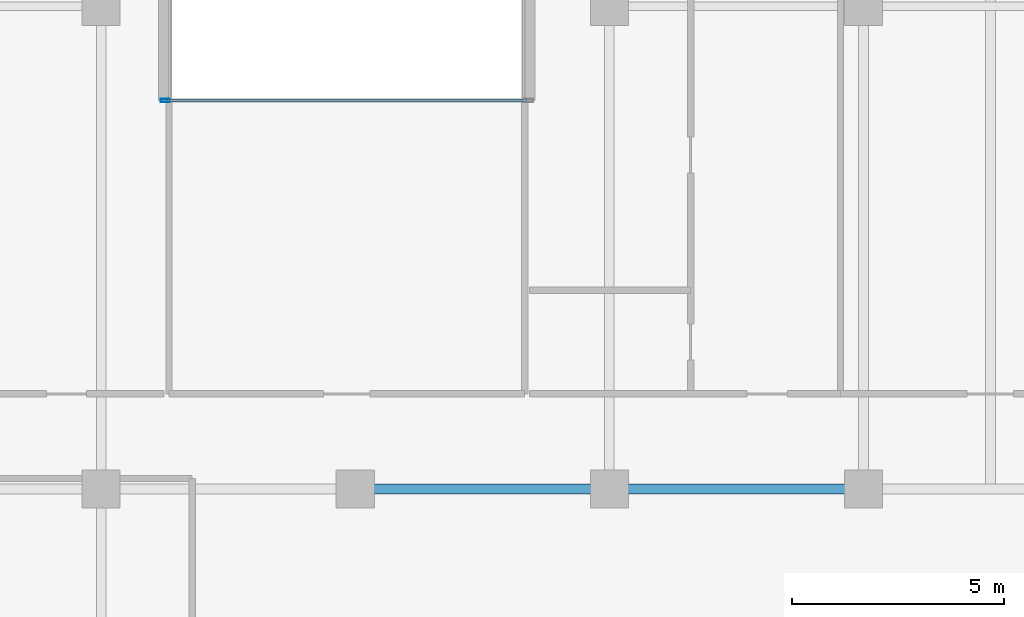
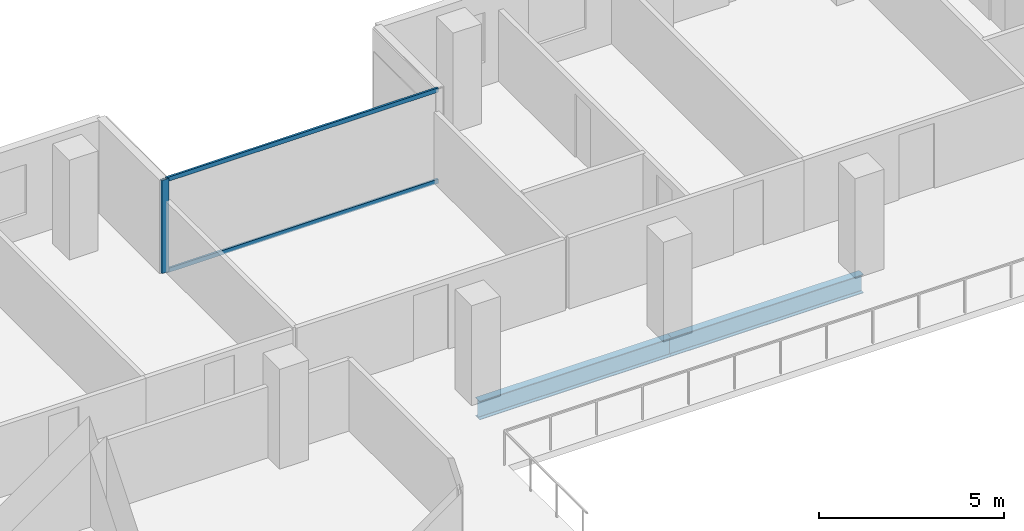
# One storey, part 6 of 19: 3 members, 2 beams, 1 element without a shape of its own.
"""IFC4 building model written with IfcOpenShell, lengths in metres."""

from ifc_helpers import new_model, si_unit, direction, frame, origin, origin_2d, place, context, subcontext, project, spatial, hollow_rectangle, i_section, extrude, material, layer, layer_set, material_profile, profile_set, type_object, element, aggregate, save


model = new_model("IFC4")

# Units and contexts
model_context = context("Model", 3, precision=1e-05, world=origin(), true_north=direction((0.0, 1.0)))
body_context = subcontext(model_context, "Body", "Model", "MODEL_VIEW")
ifc_project = project(units=[si_unit("LENGTHUNIT", "METRE"), si_unit("AREAUNIT", "SQUARE_METRE"), si_unit("VOLUMEUNIT", "CUBIC_METRE"), si_unit("PLANEANGLEUNIT", "RADIAN"), si_unit("MASSUNIT", "GRAM", prefix="KILO")], contexts=[model_context])

# Site, building, storey
site_placement = place(None, origin())
site = spatial("IfcSite", under=ifc_project, at=site_placement, CompositionType="ELEMENT")
building_placement = place(site_placement, origin())
building = spatial("IfcBuilding", under=site, at=building_placement, Name="Tanjung Sevakor Pilgrim Tower", CompositionType="ELEMENT")
storey_placement = place(building_placement, frame((0.0, 0.0, 135.300048828125)))
storey = spatial("IfcBuildingStorey", under=building, at=storey_placement, Name="L37", CompositionType="ELEMENT", Elevation=135.300048828125)

# Beams
ifc_material_1 = material(Name="Steel S355J2", Category="steel")
ifc_material_profile_1 = material_profile(ifc_material_1, i_section(OverallWidth=0.230224609375, OverallDepth=0.6171875, WebThickness=0.01318359375, FlangeThickness=0.022216796875, FilletRadius=0.0126953125, at=origin_2d()))
ifc_profile_set_1 = profile_set([ifc_material_profile_1], Name="Steel S355J2")
beam_type = type_object("IfcBeamType", Name="BM-B-G3-UB_610x229x140", PredefinedType="BEAM", material=ifc_profile_set_1)
for number, where, z_axis, x_axis, name in (
    (1, (48.0, 42.60009765625, -0.528564453125), (1.0, 0.0, 0.0), (0.0, 1.0, 0.0), "L37 Primary Floor Girder MAIN Y426-03"),
    (2, (54.0, 42.60009765625, -0.528564453125), (1.0, 0.0, 0.0), (0.0, 1.0, 0.0), "L37 Primary Floor Girder MAIN Y426-04"),
):
    element("IfcBeam", number, at=place(storey_placement, frame(where, z_axis=z_axis, x_axis=x_axis)), inside=storey, type_object=beam_type, Name=name, PredefinedType="BEAM", context=body_context, shape_type="SweptSolid", body=[
        extrude(i_section(OverallWidth=0.230224609375, OverallDepth=0.6171875, WebThickness=0.01318359375, FlangeThickness=0.022216796875, FilletRadius=0.0126953125, at=origin_2d()), origin(), (0.0, 0.0, 1.0), 6.0),
    ])

# Curtain wall, members
ifc_material_2 = material(Name="Aluminium 6063-T6 and Low-E Glass", Category="aluminium")
ifc_layer = layer(ifc_material_2, 0.179931640625)
ifc_layer_set = layer_set([ifc_layer], Name="CW-SYS-CLEFT")
curtain_wall_type = type_object("IfcCurtainWallType", Name="CW-SYS-CLEFT", PredefinedType="NOTDEFINED", material=ifc_layer_set)
curtain_wall_placement = place(storey_placement, origin())
curtain_wall = element("IfcCurtainWall", 3, at=curtain_wall_placement, inside=storey, type_object=curtain_wall_type, Name="L37 Curtain Wall CW-CLF-L37-10", PredefinedType="NOTDEFINED")
ifc_material_3 = material(Name="Aluminium 6063-T6", Category="aluminium")
ifc_material_profile_2 = material_profile(ifc_material_3, hollow_rectangle(XDim=0.074951171875, YDim=0.219970703125, WallThickness=0.0048828125, at=origin_2d()))
ifc_profile_set_2 = profile_set([ifc_material_profile_2], Name="Aluminium 6063-T6")
member_type_1 = type_object("IfcMemberType", Name="TYPE-CWM-2", PredefinedType="MULLION", material=ifc_profile_set_2)
member_1_placement = place(storey_placement, frame((43.512451171875, 51.77490234375, 0.0), z_axis=(0.0, 0.0, 1.0), x_axis=(0.0, -1.0, 0.0)))
member_1 = element("IfcMember", 4, at=member_1_placement, type_object=member_type_1, Name="CW-CLF mullion 2", PredefinedType="MULLION", context=body_context, shape_type="SweptSolid", body=[
    extrude(hollow_rectangle(XDim=0.074951171875, YDim=0.219970703125, WallThickness=0.0048828125, at=origin_2d()), origin(), (0.0, 0.0, 1.0), 3.079833984375),
])
ifc_material_4 = material(Name="Aluminium 6063-T6", Category="aluminium")
ifc_material_profile_3 = material_profile(ifc_material_4, hollow_rectangle(XDim=0.06494140625, YDim=0.139892578125, WallThickness=0.00390625, at=origin_2d()))
ifc_profile_set_3 = profile_set([ifc_material_profile_3], Name="Aluminium 6063-T6")
member_type_2 = type_object("IfcMemberType", Name="TYPE-CWT-1", PredefinedType="USERDEFINED", material=ifc_profile_set_3)
member_2_placement = place(storey_placement, frame((52.050048828125, 51.77490234375, 0.032470703125), z_axis=(-1.0, 0.0, 0.0), x_axis=(0.0, -1.0, 0.0)))
member_2 = element("IfcMember", 5, at=member_2_placement, type_object=member_type_2, Name="CW-CLF transom 1.1", ObjectType="TRANSOM", PredefinedType="USERDEFINED", context=body_context, shape_type="SweptSolid", body=[
    extrude(hollow_rectangle(XDim=0.06494140625, YDim=0.139892578125, WallThickness=0.00390625, at=origin_2d()), origin(), (0.0, 0.0, 1.0), 8.5),
])
member_3_placement = place(storey_placement, frame((52.050048828125, 51.77490234375, 3.04736328125), z_axis=(-1.0, 0.0, 0.0), x_axis=(0.0, -1.0, 0.0)))
member_3 = element("IfcMember", 6, at=member_3_placement, type_object=member_type_2, Name="CW-CLF transom 1.2", ObjectType="TRANSOM", PredefinedType="USERDEFINED", context=body_context, shape_type="SweptSolid", body=[
    extrude(hollow_rectangle(XDim=0.06494140625, YDim=0.139892578125, WallThickness=0.00390625, at=origin_2d()), origin(), (0.0, 0.0, 1.0), 8.5),
])
aggregate(curtain_wall, [member_1, member_2, member_3])

save(model, "model.ifc")
